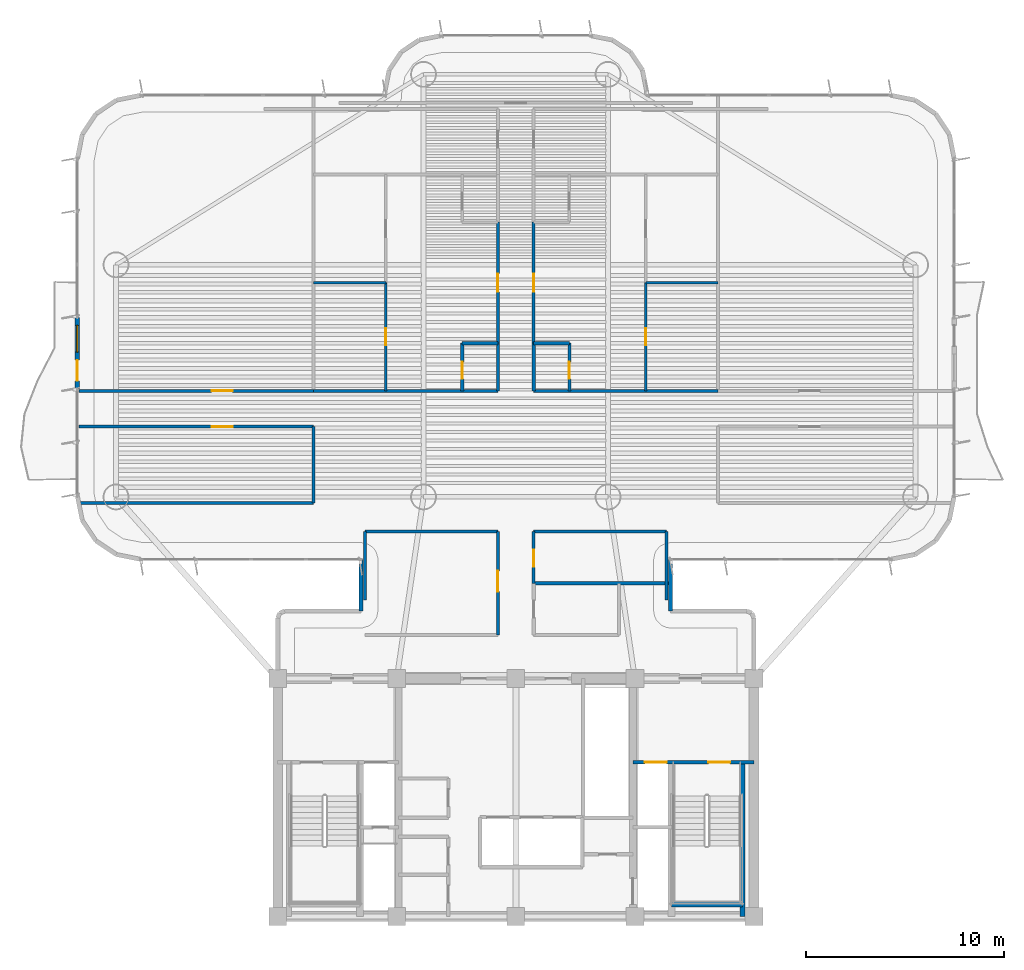
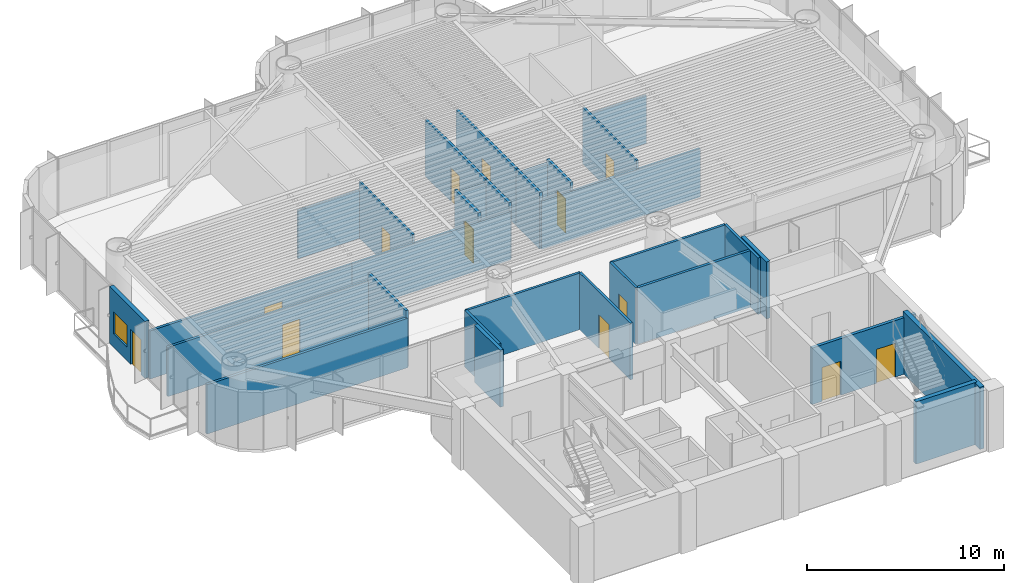
# One storey, part 10 of 16: 31 walls, 13 doors, 1 window, 14 openings.
"""IFC4 building model written with IfcOpenShell, lengths in metres."""

import ifcopenshell
import ifcopenshell.guid

model = None  # the IFC model being written
_history = None  # IfcOwnerHistory: only IFC2X3 demands one
_inside = {}  # id of a spatial element -> (the spatial element, [elements in it])
_under = {}  # id of a project, library or spatial element -> (it, [spatial elements below it])
_declared = {}  # id of a project -> (the project, [libraries it declares])
_typed = {}  # id of a type object -> (the type object, [elements of that type])
_made_of = {}  # id of a material, layer set ... -> (it, [elements and type objects made of it])


def new_model(schema):
    """Start an empty IFC model of exactly this schema.

    Asked for "IFC4X3", IfcOpenShell would pick the latest addendum, in which some entities
    have other attributes; the version numbers below select the first issue.
    IFC2X3 requires an IfcOwnerHistory on every rooted entity: one is made here for all.
    """
    global model, _history
    if schema == "IFC4X3":
        model = ifcopenshell.file(schema_version=(4, 3, 0, 0))
    else:
        model = ifcopenshell.file(schema=schema)
    _inside.clear()
    _under.clear()
    _declared.clear()
    _typed.clear()
    _made_of.clear()
    _history = None
    if model.schema == "IFC2X3":
        org = make("IfcOrganization", Name="unknown")
        user = make(
            "IfcPersonAndOrganization",
            ThePerson=make("IfcPerson", FamilyName="unknown"),
            TheOrganization=org,
        )
        app = make(
            "IfcApplication",
            ApplicationDeveloper=org,
            Version="unknown",
            ApplicationFullName="unknown",
            ApplicationIdentifier="unknown",
        )
        _history = make(
            "IfcOwnerHistory",
            OwningUser=user,
            OwningApplication=app,
            ChangeAction="ADDED",
            CreationDate=0,
        )
    return model


def make(cls, **values):
    """One entity of the class cls with the attributes given. An attribute that is None is left unset."""
    return model.create_entity(
        cls, **{name: value for name, value in values.items() if value is not None}
    )


def rooted(cls, **values):
    """An entity with a GlobalId (a new one), such as an element, a storey or a relation."""
    return make(cls, GlobalId=ifcopenshell.guid.new(), OwnerHistory=_history, **values)


def si_unit(unit_type, name, prefix=None):
    """IfcSIUnit, for example si_unit("LENGTHUNIT", "METRE", prefix="MILLI")."""
    return make("IfcSIUnit", UnitType=unit_type, Prefix=prefix, Name=name)


def assignment(units):
    """IfcUnitAssignment: the units of a project."""
    return None if units is None else make("IfcUnitAssignment", Units=units)


def point(xyz):
    """IfcCartesianPoint."""
    return None if xyz is None else make("IfcCartesianPoint", Coordinates=xyz)


def direction(xyz):
    """IfcDirection."""
    return None if xyz is None else make("IfcDirection", DirectionRatios=xyz)


def frame(location, z_axis=None, x_axis=None):
    """IfcAxis2Placement3D, a coordinate frame: its origin and axes. An axis left out is left unset."""
    return make(
        "IfcAxis2Placement3D",
        Location=point(location),
        Axis=direction(z_axis),
        RefDirection=direction(x_axis),
    )


def frame_2d(location, x_axis=None):
    """IfcAxis2Placement2D, a coordinate frame in the plane: its origin and x axis."""
    return make(
        "IfcAxis2Placement2D", Location=point(location), RefDirection=direction(x_axis)
    )


def origin():
    """The frame at (0, 0, 0) with its axes left unset."""
    return frame((0.0, 0.0, 0.0))


def origin_2d():
    """The frame at (0, 0) in the plane with its x axis left unset."""
    return frame_2d((0.0, 0.0))


def place(relative_to, where):
    """IfcLocalPlacement: puts the frame where relative to a parent placement (None: the world)."""
    return make(
        "IfcLocalPlacement", PlacementRelTo=relative_to, RelativePlacement=where
    )


def context(
    kind, dimensions, precision=None, world=None, true_north=None, identifier=None
):
    """IfcGeometricRepresentationContext, for example the 3D "Model" context."""
    return make(
        "IfcGeometricRepresentationContext",
        ContextIdentifier=identifier,
        ContextType=kind,
        CoordinateSpaceDimension=dimensions,
        Precision=precision,
        WorldCoordinateSystem=world,
        TrueNorth=true_north,
    )


def subcontext(parent, identifier, kind, view, scale=None):
    """IfcGeometricRepresentationSubContext, for example "Body" below "Model"."""
    return make(
        "IfcGeometricRepresentationSubContext",
        ContextIdentifier=identifier,
        ContextType=kind,
        ParentContext=parent,
        TargetScale=scale,
        TargetView=view,
    )


def project(units=None, contexts=None):
    """IfcProject with its units and contexts."""
    return rooted(
        "IfcProject",
        Name="project",
        RepresentationContexts=contexts,
        UnitsInContext=assignment(units),
    )


def spatial(cls, under=None, at=None, **own):
    """A site, building, storey or space (cls), placed at a placement, below another one or the project."""
    s = rooted(cls, ObjectPlacement=at, **own)
    if under is not None:
        _under.setdefault(under.id(), (under, []))[1].append(s)
    return s


def profile(cls, at=None, kind="AREA", **sizes):
    """A parametric profile (cls). Its sizes go by their IFC names, for example OverallWidth=200.0."""
    return make(cls, ProfileType=kind, Position=at, **sizes)


def rectangle(**sizes):
    """IfcRectangleProfileDef."""
    return profile("IfcRectangleProfileDef", **sizes)


def extrude(swept, where, along, depth):
    """IfcExtrudedAreaSolid: the profile swept, set in the frame where, extruded along a direction by depth."""
    return make(
        "IfcExtrudedAreaSolid",
        SweptArea=swept,
        Position=where,
        ExtrudedDirection=direction(along),
        Depth=depth,
    )


def shape(context_of_items, identifier, shape_type, items):
    """IfcShapeRepresentation: the items that make up one representation, for example the "Body"."""
    return make(
        "IfcShapeRepresentation",
        ContextOfItems=context_of_items,
        RepresentationIdentifier=identifier,
        RepresentationType=shape_type,
        Items=items,
    )


def source(mapping_origin, context_of_items, identifier, shape_type, items):
    """IfcRepresentationMap: a shape defined once, which mapped items show again and again."""
    return make(
        "IfcRepresentationMap",
        MappingOrigin=mapping_origin,
        MappedRepresentation=shape(context_of_items, identifier, shape_type, items),
    )


def transform(
    local_origin,
    x_axis=None,
    y_axis=None,
    z_axis=None,
    scale=None,
    scale2=None,
    scale3=None,
    uniform=True,
):
    """IfcCartesianTransformationOperator3D, or its non-uniform kind. x_axis, y_axis, z_axis: its Axis1, 2, 3."""
    if uniform:
        return make(
            "IfcCartesianTransformationOperator3D",
            Axis1=direction(x_axis),
            Axis2=direction(y_axis),
            LocalOrigin=point(local_origin),
            Scale=scale,
            Axis3=direction(z_axis),
        )
    return make(
        "IfcCartesianTransformationOperator3DnonUniform",
        Axis1=direction(x_axis),
        Axis2=direction(y_axis),
        LocalOrigin=point(local_origin),
        Scale=scale,
        Axis3=direction(z_axis),
        Scale2=scale2,
        Scale3=scale3,
    )


def mapped(mapping_source, mapping_target):
    """IfcMappedItem: shows the shape of a source again, moved by a transform."""
    return make(
        "IfcMappedItem", MappingSource=mapping_source, MappingTarget=mapping_target
    )


def material(Name=None, Category=None):
    """IfcMaterial."""
    return make("IfcMaterial", Name=Name, Category=Category)


def layer(
    of_material, thickness, ventilated=None, Name=None, Category=None, Priority=None
):
    """IfcMaterialLayer: one layer of a wall or slab, of a material (None: an air gap)."""
    return make(
        "IfcMaterialLayer",
        Material=of_material,
        LayerThickness=thickness,
        IsVentilated=ventilated,
        Name=Name,
        Category=Category,
        Priority=Priority,
    )


def layer_set(layers, Name=None):
    """IfcMaterialLayerSet."""
    return make("IfcMaterialLayerSet", MaterialLayers=layers, LayerSetName=Name)


def made_of(thing, what):
    """Note that an element or type object is made of a material, layer set ...; save() writes the relation."""
    if what is not None:
        _made_of.setdefault(what.id(), (what, []))[1].append(thing)
    return thing


def type_object(cls, material=None, **own):
    """A type object (cls), such as IfcWallType, which elements share."""
    return made_of(rooted(cls, **own), material)


def element(
    cls,
    number,
    at=None,
    inside=None,
    cuts=None,
    type_object=None,
    material=None,
    context=None,
    identifier="Body",
    shape_type=None,
    held_by="IfcProductDefinitionShape",
    body=None,
    shapes=None,
    **own,
):
    """One element of the class cls, such as IfcWall. Its Tag is "e" and its number.

    at: its placement. inside: the storey or other place that contains it. cuts: it is an
    opening in that element (IfcRelVoidsElement). A single representation is given by context,
    identifier, shape_type and body (its items); several are given by shapes. held_by: the class
    of the entity that holds the representations. save() writes the other relations.
    """
    e = rooted(cls, Tag="e%d" % number, ObjectPlacement=at, **own)
    if body is not None:
        shapes = [shape(context, identifier, shape_type, body)]
    if shapes is not None:
        e.Representation = make(held_by, Representations=shapes)
    if inside is not None:
        _inside.setdefault(inside.id(), (inside, []))[1].append(e)
    if cuts is not None:
        rooted(
            "IfcRelVoidsElement", RelatingBuildingElement=cuts, RelatedOpeningElement=e
        )
    if type_object is not None:
        _typed.setdefault(type_object.id(), (type_object, []))[1].append(e)
    return made_of(e, material)


def fill(opening, filler):
    """IfcRelFillsElement: the door or window that sits in an opening."""
    return rooted(
        "IfcRelFillsElement",
        RelatingOpeningElement=opening,
        RelatedBuildingElement=filler,
    )


def aggregate(whole, parts):
    """IfcRelAggregates: a whole, such as a stair, and the parts it consists of."""
    return rooted("IfcRelAggregates", RelatingObject=whole, RelatedObjects=parts)


def save(model, path):
    """Write the relations noted so far, then the file.

    IfcRelAggregates (storeys below a building ...), IfcRelContainedInSpatialStructure (elements
    in a storey), IfcRelDefinesByType, IfcRelAssociatesMaterial and IfcRelDeclares: one each for
    every whole, place, type object, material and project.
    """
    for whole, parts in _under.values():
        aggregate(whole, parts)
    for where, things in _inside.values():
        rooted(
            "IfcRelContainedInSpatialStructure",
            RelatedElements=things,
            RelatingStructure=where,
        )
    for kind, things in _typed.values():
        rooted("IfcRelDefinesByType", RelatedObjects=things, RelatingType=kind)
    for what, things in _made_of.values():
        rooted("IfcRelAssociatesMaterial", RelatedObjects=things, RelatingMaterial=what)
    for by, libraries in _declared.values():
        rooted("IfcRelDeclares", RelatingContext=by, RelatedDefinitions=libraries)
    model.write(path)


model = new_model("IFC4")

# Units and contexts
model_context = context("Model", 3, precision=1e-05, world=origin(), true_north=direction((0.0, 1.0)))
body_context = subcontext(model_context, "Body", "Model", "MODEL_VIEW")
ifc_project = project(units=[si_unit("LENGTHUNIT", "METRE"), si_unit("AREAUNIT", "SQUARE_METRE"), si_unit("VOLUMEUNIT", "CUBIC_METRE"), si_unit("PLANEANGLEUNIT", "RADIAN"), si_unit("MASSUNIT", "GRAM", prefix="KILO")], contexts=[model_context])

# Site, building, storey
site_placement = place(None, origin())
site = spatial("IfcSite", under=ifc_project, at=site_placement, CompositionType="ELEMENT")
building_placement = place(site_placement, origin())
building = spatial("IfcBuilding", under=site, at=building_placement, Name="Brelvock Crest Care Tower", CompositionType="ELEMENT")
storey_placement = place(building_placement, frame((0.0, 0.0, 138.9599609375)))
storey = spatial("IfcBuildingStorey", under=building, at=storey_placement, Name="L35", CompositionType="ELEMENT", Elevation=138.9599609375)

# Walls
ifc_material_1 = material(Name="Concrete S80 (80 MPa)", Category="concrete")
ifc_layer_1 = layer(ifc_material_1, 0.25, Name="WL-CS6")
ifc_layer_set_1 = layer_set([ifc_layer_1], Name="Concrete S80 (80 MPa)")
wall_type_1 = type_object("IfcWallType", Name="WL-CS6", PredefinedType="SHEAR", material=ifc_layer_set_1)
wall_1_placement = place(storey_placement, frame((47.419921875, 6.0, 0.0), z_axis=(0.0, 0.0, 1.0), x_axis=(0.0, 1.0, 0.0)))
element("IfcWall", 1, at=wall_1_placement, inside=storey, type_object=wall_type_1, Name="L35 Core Stair ST-2 East Shear Wall", PredefinedType="SHEAR", context=body_context, shape_type="SweptSolid", body=[
    extrude(rectangle(XDim=7.780029296875, YDim=0.25, at=frame_2d((3.89013671875, 0.0))), origin(), (0.0, 0.0, 1.0), 3.85009765625),
])
wall_2_placement = place(storey_placement, frame((43.85009765625, 6.6201171875, 0.0), z_axis=(0.0, 0.0, 1.0), x_axis=(1.0, 0.0, 0.0)))
element("IfcWall", 2, at=wall_2_placement, inside=storey, type_object=wall_type_1, Name="L35 Core Stair ST-2 South Shear Wall", PredefinedType="SHEAR", context=body_context, shape_type="SweptSolid", body=[
    extrude(rectangle(XDim=3.56982421875, YDim=0.25, at=frame_2d((1.784912109375, 0.0))), origin(), (0.0, 0.0, 1.0), 3.85009765625),
])

# Wall, openings, door, window
ifc_material_2 = material(Name="Precast concrete N40 (40 MPa)", Category="concrete")
ifc_layer_2 = layer(ifc_material_2, 0.239990234375, Name="WL-EX1")
ifc_layer_set_2 = layer_set([ifc_layer_2], Name="Precast concrete N40 (40 MPa)")
wall_type_2 = type_object("IfcWallType", Name="WL-EX1", PredefinedType="SOLIDWALL", material=ifc_layer_set_2)
wall_3_placement = place(storey_placement, frame((13.89990234375, 32.60009765625, 0.0), z_axis=(0.0, 0.0, 1.0), x_axis=(0.0, 1.0, 0.0)))
wall_3 = element("IfcWall", 3, at=wall_3_placement, inside=storey, type_object=wall_type_2, Name="L35 Exterior Spandrel Wall WL-BAL-L35-W", PredefinedType="SOLIDWALL", context=body_context, shape_type="SweptSolid", body=[
    extrude(rectangle(XDim=3.599853515625, YDim=0.239990234375, at=frame_2d((1.7998046875, 0.0))), origin(), (0.0, 0.0, 1.0), 3.530029296875),
])
opening_1_placement = place(wall_3_placement, frame((0.39990234375, 0.0, 0.0)))
opening_1 = element("IfcOpeningElement", 4, at=opening_1_placement, cuts=wall_3, Name="Opening BD-1", PredefinedType="OPENING", context=body_context, shape_type="SweptSolid", body=[
    extrude(rectangle(XDim=1.050048828125, YDim=2.14990234375, at=origin_2d()), frame((0.52490234375, 0.1298828125, 1.074951171875), z_axis=(0.0, -1.0, 0.0), x_axis=(1.0, 0.0, 0.0)), (0.0, 0.0, 1.0), 0.260009765625),
])
opening_2_placement = place(wall_3_placement, frame((1.85009765625, 0.0, 0.85009765625)))
opening_2 = element("IfcOpeningElement", 5, at=opening_2_placement, cuts=wall_3, Name="Opening W-01", PredefinedType="OPENING", context=body_context, shape_type="SweptSolid", body=[
    extrude(rectangle(XDim=1.35009765625, YDim=1.35009765625, at=origin_2d()), frame((0.675048828125, 0.1298828125, 0.675048828125), z_axis=(0.0, -1.0, 0.0), x_axis=(1.0, 0.0, 0.0)), (0.0, 0.0, 1.0), 0.260009765625),
])
ifc_material_3 = material(Name="Dark Glass Double Glazed Low-E", Category="glass")
door_type_1 = type_object("IfcDoorType", Name="DR-BAL1", OperationType="NOTDEFINED", PredefinedType="DOOR", material=ifc_material_3)
shared_shape_1 = source(origin(), body_context, "Body", "SweptSolid", [
    extrude(rectangle(XDim=1.050048828125, YDim=2.14990234375, at=origin_2d()), frame((0.52490234375, 0.02490234375, 1.074951171875), z_axis=(0.0, -1.0, 0.0), x_axis=(1.0, 0.0, 0.0)), (0.0, 0.0, 1.0), 0.050048828125),
])
door_1_placement = place(opening_1_placement, origin())
door_1 = element("IfcDoor", 6, at=door_1_placement, inside=storey, type_object=door_type_1, Name="L35 W Wave Balcony Glazed Door", OperationType="SINGLE_SWING_LEFT", OverallHeight=2.14990234375, OverallWidth=1.050048828125, PredefinedType="DOOR", context=body_context, shape_type="MappedRepresentation", body=[
    mapped(shared_shape_1, transform((0.0, 0.0, 0.0), x_axis=(1.0, 0.0, 0.0), y_axis=(0.0, 1.0, 0.0), z_axis=(0.0, 0.0, 1.0), scale=1.0)),
])
fill(opening_1, door_1)
window_type = type_object("IfcWindowType", Name="WN-EX1", PartitioningType="SINGLE_PANEL", PredefinedType="WINDOW", material=ifc_material_3)
shared_shape_2 = source(origin(), body_context, "Body", "SweptSolid", [
    extrude(rectangle(XDim=1.35009765625, YDim=1.35009765625, at=origin_2d()), frame((0.675048828125, 0.030029296875, 0.675048828125), z_axis=(0.0, -1.0, 0.0), x_axis=(1.0, 0.0, 0.0)), (0.0, 0.0, 1.0), 0.06005859375),
])
window_placement = place(opening_2_placement, origin())
window = element("IfcWindow", 7, at=window_placement, inside=storey, type_object=window_type, Name="L35 W Suite Casement Window", OverallHeight=1.35009765625, OverallWidth=1.35009765625, PartitioningType="SINGLE_PANEL", PredefinedType="WINDOW", context=body_context, shape_type="MappedRepresentation", body=[
    mapped(shared_shape_2, transform((0.0, 0.0, 0.0), x_axis=(1.0, 0.0, 0.0), y_axis=(0.0, 1.0, 0.0), z_axis=(0.0, 0.0, 1.0), scale=1.0)),
])
fill(opening_2, window)

# Walls
ifc_layer_3 = layer(ifc_material_2, 0.215087890625, Name="WL-EX2")
ifc_layer_set_3 = layer_set([ifc_layer_3], Name="Precast concrete N40 (40 MPa)")
wall_type_3 = type_object("IfcWallType", Name="WL-EX2", PredefinedType="SOLIDWALL", material=ifc_layer_set_3)
for number, where, z_axis, x_axis, name in (
    (8, (28.199951171875, 21.39990234375, 0.0), (0.0, 0.0, 1.0), (0.0, 1.0, 0.0), "L35 Rounded Corner Wall 11"),
    (9, (43.800048828125, 24.0, 0.0), (0.0, 0.0, 1.0), (0.0, -1.0, 0.0), "L35 Rounded Corner Wall 45"),
):
    element("IfcWall", number, at=place(storey_placement, frame(where, z_axis=z_axis, x_axis=x_axis)), inside=storey, type_object=wall_type_3, Name=name, PredefinedType="SOLIDWALL", context=body_context, shape_type="SweptSolid", body=[
        extrude(rectangle(XDim=2.60009765625, YDim=0.215087890625, at=frame_2d((1.300048828125, 0.0))), origin(), (0.0, 0.0, 1.0), 3.530029296875),
    ])
ifc_material_4 = material(Name="Masonry Blockwork Acoustic Partition", Category="masonry")
ifc_layer_4 = layer(ifc_material_4, 0.14990234375, Name="WL-INT1")
ifc_layer_set_4 = layer_set([ifc_layer_4], Name="Masonry Blockwork Acoustic Partition")
wall_type_4 = type_object("IfcWallType", Name="WL-INT1", PredefinedType="PARTITIONING", material=ifc_layer_set_4)
for number, where, z_axis, x_axis, name in (
    (10, (28.39990234375, 25.39990234375, 0.0), (0.0, 0.0, 1.0), (1.0, 0.0, 0.0), "L35 Interior Wall WL-BX-L35-THW-N"),
    (11, (36.89990234375, 25.39990234375, 0.0), (0.0, 0.0, 1.0), (1.0, 0.0, 0.0), "L35 Interior Wall WL-BX-L35-THE2-N"),
):
    element("IfcWall", number, at=place(storey_placement, frame(where, z_axis=z_axis, x_axis=x_axis)), inside=storey, type_object=wall_type_4, Name=name, PredefinedType="PARTITIONING", context=body_context, shape_type="SweptSolid", body=[
        extrude(rectangle(XDim=6.7001953125, YDim=0.14990234375, at=frame_2d((3.35009765625, 0.0))), origin(), (0.0, 0.0, 1.0), 3.5),
    ])
wall_4_placement = place(storey_placement, frame((14.05126953125, 26.85009765625, 0.0), z_axis=(0.0, 0.0, 1.0), x_axis=(1.0, 0.0, 0.0)))
element("IfcWall", 12, at=wall_4_placement, inside=storey, type_object=wall_type_4, Name="L35 Interior Wall WL-BX-L35-ISWO-S", PredefinedType="PARTITIONING", context=body_context, shape_type="SweptSolid", body=[
    extrude(rectangle(XDim=11.748779296875, YDim=0.14990234375, at=frame_2d((5.87451171875, 0.0))), origin(), (0.0, 0.0, 1.0), 3.054931640625),
])

# Wall, opening, door
wall_5_placement = place(storey_placement, frame((13.97998046875, 30.699951171875, 0.0), z_axis=(0.0, 0.0, 1.0), x_axis=(1.0, 0.0, 0.0)))
wall_5 = element("IfcWall", 13, at=wall_5_placement, inside=storey, type_object=wall_type_4, Name="L35 Interior Wall WL-RM-L35-ISWO", PredefinedType="PARTITIONING", context=body_context, shape_type="SweptSolid", body=[
    extrude(rectangle(XDim=11.820068359375, YDim=0.14990234375, at=frame_2d((5.91015625, 0.0))), origin(), (0.0, 0.0, 1.0), 3.054931640625),
])
opening_3_placement = place(wall_5_placement, frame((6.695068359375, 0.0, 0.0)))
opening_3 = element("IfcOpeningElement", 14, at=opening_3_placement, cuts=wall_5, Name="Opening CLD-1", PredefinedType="OPENING", context=body_context, shape_type="SweptSolid", body=[
    extrude(rectangle(XDim=1.050048828125, YDim=2.10009765625, at=origin_2d()), frame((0.52490234375, 0.0849609375, 1.050048828125), z_axis=(0.0, -1.0, 0.0), x_axis=(1.0, 0.0, 0.0)), (0.0, 0.0, 1.0), 0.169921875),
])
ifc_material_5 = material(Name="Engineered Hardwood Timber", Category="wood")
door_type_2 = type_object("IfcDoorType", Name="DR-CLN1", OperationType="NOTDEFINED", PredefinedType="DOOR", material=ifc_material_5)
shared_shape_3 = source(origin(), body_context, "Body", "SweptSolid", [
    extrude(rectangle(XDim=1.050048828125, YDim=2.10009765625, at=origin_2d()), frame((0.52490234375, 0.02490234375, 1.050048828125), z_axis=(0.0, -1.0, 0.0), x_axis=(1.0, 0.0, 0.0)), (0.0, 0.0, 1.0), 0.050048828125),
])
door_2_placement = place(opening_3_placement, origin())
door_2 = element("IfcDoor", 15, at=door_2_placement, inside=storey, type_object=door_type_2, Name="L35 Resident Sun Conservatory Door ISWO", OperationType="SINGLE_SWING_LEFT", OverallHeight=2.10009765625, OverallWidth=1.050048828125, PredefinedType="DOOR", context=body_context, shape_type="MappedRepresentation", body=[
    mapped(shared_shape_3, transform((0.0, 0.0, 0.0), x_axis=(1.0, 0.0, 0.0), y_axis=(0.0, 1.0, 0.0), z_axis=(0.0, 0.0, 1.0), scale=1.0)),
])
fill(opening_3, door_2)

wall_6_placement = place(storey_placement, frame((13.97998046875, 32.5, 0.0), z_axis=(0.0, 0.0, 1.0), x_axis=(1.0, 0.0, 0.0)))
wall_6 = element("IfcWall", 16, at=wall_6_placement, inside=storey, type_object=wall_type_4, Name="L35 Interior Wall WL-RM-L35-INWO", PredefinedType="PARTITIONING", context=body_context, shape_type="SweptSolid", body=[
    extrude(rectangle(XDim=11.820068359375, YDim=0.14990234375, at=frame_2d((5.91015625, 0.0))), origin(), (0.0, 0.0, 1.0), 2.98193359375),
])
opening_4_placement = place(wall_6_placement, frame((6.695068359375, 0.0, 0.0)))
opening_4 = element("IfcOpeningElement", 17, at=opening_4_placement, cuts=wall_6, Name="Opening CLD-1", PredefinedType="OPENING", context=body_context, shape_type="SweptSolid", body=[
    extrude(rectangle(XDim=1.050048828125, YDim=2.10009765625, at=origin_2d()), frame((0.52490234375, 0.0849609375, 1.050048828125), z_axis=(0.0, -1.0, 0.0), x_axis=(1.0, 0.0, 0.0)), (0.0, 0.0, 1.0), 0.169921875),
])
door_3_placement = place(opening_4_placement, origin())
door_3 = element("IfcDoor", 18, at=door_3_placement, inside=storey, type_object=door_type_2, Name="L35 Resident Sun Conservatory Door INWO", OperationType="SINGLE_SWING_LEFT", OverallHeight=2.10009765625, OverallWidth=1.050048828125, PredefinedType="DOOR", context=body_context, shape_type="MappedRepresentation", body=[
    mapped(shared_shape_3, transform((0.0, 0.0, 0.0), x_axis=(1.0, 0.0, 0.0), y_axis=(0.0, 1.0, 0.0), z_axis=(0.0, 0.0, 1.0), scale=1.0)),
])
fill(opening_4, door_3)

# Walls
for number, where, z_axis, x_axis, name in (
    (19, (25.800048828125, 32.5, 0.0), (0.0, 0.0, 1.0), (1.0, 0.0, 0.0), "L35 Interior Wall WL-BX-L35-FL-INWI-S"),
    (20, (36.89990234375, 32.5, 0.0), (0.0, 0.0, 1.0), (1.0, 0.0, 0.0), "L35 Interior Wall WL-BX-L35-FL-INEI-S"),
):
    element("IfcWall", number, at=place(storey_placement, frame(where, z_axis=z_axis, x_axis=x_axis)), inside=storey, type_object=wall_type_4, Name=name, PredefinedType="PARTITIONING", context=body_context, shape_type="SweptSolid", body=[
        extrude(rectangle(XDim=9.300048828125, YDim=0.14990234375, at=frame_2d((4.64990234375, 0.0))), origin(), (0.0, 0.0, 1.0), 2.98193359375),
    ])
wall_7_placement = place(storey_placement, frame((25.800048828125, 26.85009765625, 0.0), z_axis=(0.0, 0.0, 1.0), x_axis=(0.0, 1.0, 0.0)))
element("IfcWall", 21, at=wall_7_placement, inside=storey, type_object=wall_type_4, Name="L35 Interior Wall WL-BX-L35-ISWO-E", PredefinedType="PARTITIONING", context=body_context, shape_type="SweptSolid", body=[
    extrude(rectangle(XDim=3.849853515625, YDim=0.14990234375, at=frame_2d((1.9248046875, 0.0))), origin(), (0.0, 0.0, 1.0), 3.5),
])
wall_8_placement = place(storey_placement, frame((28.39990234375, 21.957275390625, 0.0), z_axis=(0.0, 0.0, 1.0), x_axis=(0.0, 1.0, 0.0)))
element("IfcWall", 22, at=wall_8_placement, inside=storey, type_object=wall_type_4, Name="L35 Interior Wall WL-BX-L35-THW-W2", PredefinedType="PARTITIONING", context=body_context, shape_type="SweptSolid", body=[
    extrude(rectangle(XDim=3.442626953125, YDim=0.14990234375, at=frame_2d((1.72119140625, 0.0))), origin(), (0.0, 0.0, 1.0), 3.5),
])

# Wall, opening, door
wall_9_placement = place(storey_placement, frame((35.10009765625, 20.199951171875, 0.0), z_axis=(0.0, 0.0, 1.0), x_axis=(0.0, 1.0, 0.0)))
wall_9 = element("IfcWall", 23, at=wall_9_placement, inside=storey, type_object=wall_type_4, Name="L35 Interior Wall WL-RM-L35-THW", PredefinedType="PARTITIONING", context=body_context, shape_type="SweptSolid", body=[
    extrude(rectangle(XDim=5.199951171875, YDim=0.14990234375, at=frame_2d((2.60009765625, 0.0))), origin(), (0.0, 0.0, 1.0), 3.5),
])
opening_5_placement = place(wall_9_placement, frame((2.175048828125, 0.0, 0.0)))
opening_5 = element("IfcOpeningElement", 24, at=opening_5_placement, cuts=wall_9, Name="Opening CLD-1", PredefinedType="OPENING", context=body_context, shape_type="SweptSolid", body=[
    extrude(rectangle(XDim=1.050048828125, YDim=2.10009765625, at=origin_2d()), frame((0.52490234375, 0.0849609375, 1.050048828125), z_axis=(0.0, -1.0, 0.0), x_axis=(1.0, 0.0, 0.0)), (0.0, 0.0, 1.0), 0.169921875),
])
door_4_placement = place(opening_5_placement, origin())
door_4 = element("IfcDoor", 25, at=door_4_placement, inside=storey, type_object=door_type_2, Name="L35 Allied Health Consultation Room Door THW", OperationType="SINGLE_SWING_LEFT", OverallHeight=2.10009765625, OverallWidth=1.050048828125, PredefinedType="DOOR", context=body_context, shape_type="MappedRepresentation", body=[
    mapped(shared_shape_3, transform((0.0, 0.0, 0.0), x_axis=(1.0, 0.0, 0.0), y_axis=(0.0, 1.0, 0.0), z_axis=(0.0, 0.0, 1.0), scale=1.0)),
])
fill(opening_5, door_4)

wall_10_placement = place(storey_placement, frame((35.10009765625, 34.89990234375, 0.0), z_axis=(0.0, 0.0, 1.0), x_axis=(0.0, 1.0, 0.0)))
wall_10 = element("IfcWall", 26, at=wall_10_placement, inside=storey, type_object=wall_type_4, Name="L35 Interior Wall WL-UENT-L35-INWI", PredefinedType="PARTITIONING", context=body_context, shape_type="SweptSolid", body=[
    extrude(rectangle(XDim=6.10009765625, YDim=0.14990234375, at=frame_2d((3.050048828125, 0.0))), origin(), (0.0, 0.0, 1.0), 3.5),
])
opening_6_placement = place(wall_10_placement, frame((2.590087890625, 0.0, 0.0)))
opening_6 = element("IfcOpeningElement", 27, at=opening_6_placement, cuts=wall_10, Name="Opening AD-1", PredefinedType="OPENING", context=body_context, shape_type="SweptSolid", body=[
    extrude(rectangle(XDim=0.919921875, YDim=2.10009765625, at=origin_2d()), frame((0.4599609375, 0.0849609375, 1.050048828125), z_axis=(0.0, -1.0, 0.0), x_axis=(1.0, 0.0, 0.0)), (0.0, 0.0, 1.0), 0.169921875),
])
door_type_3 = type_object("IfcDoorType", Name="DR-APT1", OperationType="NOTDEFINED", PredefinedType="DOOR", material=ifc_material_5)
shared_shape_4 = source(origin(), body_context, "Body", "SweptSolid", [
    extrude(rectangle(XDim=0.919921875, YDim=2.10009765625, at=origin_2d()), frame((0.4599609375, 0.02490234375, 1.050048828125), z_axis=(0.0, -1.0, 0.0), x_axis=(1.0, 0.0, 0.0)), (0.0, 0.0, 1.0), 0.050048828125),
])
door_5_placement = place(opening_6_placement, origin())
door_5 = element("IfcDoor", 28, at=door_5_placement, inside=storey, type_object=door_type_3, Name="L35 Apartment Entrance INWI", OperationType="SINGLE_SWING_LEFT", OverallHeight=2.10009765625, OverallWidth=0.919921875, PredefinedType="DOOR", context=body_context, shape_type="MappedRepresentation", body=[
    mapped(shared_shape_4, transform((0.0, 0.0, 0.0), x_axis=(1.0, 0.0, 0.0), y_axis=(0.0, 1.0, 0.0), z_axis=(0.0, 0.0, 1.0), scale=1.0)),
])
fill(opening_6, door_5)

wall_11_placement = place(storey_placement, frame((36.89990234375, 22.800048828125, 0.0), z_axis=(0.0, 0.0, 1.0), x_axis=(0.0, 1.0, 0.0)))
wall_11 = element("IfcWall", 29, at=wall_11_placement, inside=storey, type_object=wall_type_4, Name="L35 Interior Wall WL-RM-L35-THE2", PredefinedType="PARTITIONING", context=body_context, shape_type="SweptSolid", body=[
    extrude(rectangle(XDim=2.599853515625, YDim=0.14990234375, at=frame_2d((1.2998046875, 0.0))), origin(), (0.0, 0.0, 1.0), 3.5),
])
opening_7_placement = place(wall_11_placement, frame((0.840087890625, 0.0, 0.0)))
opening_7 = element("IfcOpeningElement", 30, at=opening_7_placement, cuts=wall_11, Name="Opening ID-1", PredefinedType="OPENING", context=body_context, shape_type="SweptSolid", body=[
    extrude(rectangle(XDim=0.860107421875, YDim=2.10009765625, at=origin_2d()), frame((0.43017578125, 0.0849609375, 1.050048828125), z_axis=(0.0, -1.0, 0.0), x_axis=(1.0, 0.0, 0.0)), (0.0, 0.0, 1.0), 0.169921875),
])
door_type_4 = type_object("IfcDoorType", Name="DR-INT1", OperationType="NOTDEFINED", PredefinedType="DOOR", material=ifc_material_5)
shared_shape_5 = source(origin(), body_context, "Body", "SweptSolid", [
    extrude(rectangle(XDim=0.860107421875, YDim=2.10009765625, at=origin_2d()), frame((0.43017578125, 0.02490234375, 1.050048828125), z_axis=(0.0, -1.0, 0.0), x_axis=(1.0, 0.0, 0.0)), (0.0, 0.0, 1.0), 0.050048828125),
])
door_6_placement = place(opening_7_placement, origin())
door_6 = element("IfcDoor", 31, at=door_6_placement, inside=storey, type_object=door_type_4, Name="L35 Care Coordinator Office Door THE2", OperationType="SINGLE_SWING_LEFT", OverallHeight=2.10009765625, OverallWidth=0.860107421875, PredefinedType="DOOR", context=body_context, shape_type="MappedRepresentation", body=[
    mapped(shared_shape_5, transform((0.0, 0.0, 0.0), x_axis=(1.0, 0.0, 0.0), y_axis=(0.0, 1.0, 0.0), z_axis=(0.0, 0.0, 1.0), scale=1.0)),
])
fill(opening_7, door_6)

wall_12_placement = place(storey_placement, frame((36.89990234375, 34.89990234375, 0.0), z_axis=(0.0, 0.0, 1.0), x_axis=(0.0, 1.0, 0.0)))
wall_12 = element("IfcWall", 32, at=wall_12_placement, inside=storey, type_object=wall_type_4, Name="L35 Interior Wall WL-UENT-L35-INEI", PredefinedType="PARTITIONING", context=body_context, shape_type="SweptSolid", body=[
    extrude(rectangle(XDim=6.10009765625, YDim=0.14990234375, at=frame_2d((3.050048828125, 0.0))), origin(), (0.0, 0.0, 1.0), 3.5),
])
opening_8_placement = place(wall_12_placement, frame((2.590087890625, 0.0, 0.0)))
opening_8 = element("IfcOpeningElement", 33, at=opening_8_placement, cuts=wall_12, Name="Opening AD-1", PredefinedType="OPENING", context=body_context, shape_type="SweptSolid", body=[
    extrude(rectangle(XDim=0.919921875, YDim=2.10009765625, at=origin_2d()), frame((0.4599609375, 0.0849609375, 1.050048828125), z_axis=(0.0, -1.0, 0.0), x_axis=(1.0, 0.0, 0.0)), (0.0, 0.0, 1.0), 0.169921875),
])
door_7_placement = place(opening_8_placement, origin())
door_7 = element("IfcDoor", 34, at=door_7_placement, inside=storey, type_object=door_type_3, Name="L35 Apartment Entrance INEI", OperationType="SINGLE_SWING_LEFT", OverallHeight=2.10009765625, OverallWidth=0.919921875, PredefinedType="DOOR", context=body_context, shape_type="MappedRepresentation", body=[
    mapped(shared_shape_4, transform((0.0, 0.0, 0.0), x_axis=(1.0, 0.0, 0.0), y_axis=(0.0, 1.0, 0.0), z_axis=(0.0, 0.0, 1.0), scale=1.0)),
])
fill(opening_8, door_7)

# Walls
wall_13_placement = place(storey_placement, frame((43.60009765625, 21.95751953125, 0.0), z_axis=(0.0, 0.0, 1.0), x_axis=(0.0, 1.0, 0.0)))
element("IfcWall", 35, at=wall_13_placement, inside=storey, type_object=wall_type_4, Name="L35 Interior Wall WL-BX-L35-THE2-E", PredefinedType="PARTITIONING", context=body_context, shape_type="SweptSolid", body=[
    extrude(rectangle(XDim=3.4423828125, YDim=0.14990234375, at=frame_2d((1.72119140625, 0.0))), origin(), (0.0, 0.0, 1.0), 3.5),
])
ifc_material_6 = material(Name="Gypsum Plasterboard Partition", Category="gypsum")
ifc_layer_5 = layer(ifc_material_6, 0.1201171875, Name="WL-INT2")
ifc_layer_set_5 = layer_set([ifc_layer_5], Name="Gypsum Plasterboard Partition")
wall_type_5 = type_object("IfcWallType", Name="WL-INT2", PredefinedType="PARTITIONING", material=ifc_layer_set_5)
for number, where, z_axis, x_axis, name in (
    (36, (25.800048828125, 37.949951171875, 0.0), (0.0, 0.0, 1.0), (1.0, 0.0, 0.0), "L35 Interior Wall WL-UBSP-L35-INWI"),
    (37, (42.550048828125, 37.949951171875, 0.0), (0.0, 0.0, 1.0), (1.0, 0.0, 0.0), "L35 Interior Wall WL-UBSP-L35-INEI"),
):
    element("IfcWall", number, at=place(storey_placement, frame(where, z_axis=z_axis, x_axis=x_axis)), inside=storey, type_object=wall_type_5, Name=name, PredefinedType="PARTITIONING", context=body_context, shape_type="SweptSolid", body=[
        extrude(rectangle(XDim=3.64990234375, YDim=0.1201171875, at=frame_2d((1.824951171875, 0.0))), origin(), (0.0, 0.0, 1.0), 2.98193359375),
    ])

# Wall, opening, door
wall_14_placement = place(storey_placement, frame((29.449951171875, 32.5, 0.0), z_axis=(0.0, 0.0, 1.0), x_axis=(0.0, 1.0, 0.0)))
wall_14 = element("IfcWall", 38, at=wall_14_placement, inside=storey, type_object=wall_type_5, Name="L35 Interior Wall WL-UBD1-L35-INWI", PredefinedType="PARTITIONING", context=body_context, shape_type="SweptSolid", body=[
    extrude(rectangle(XDim=5.449951171875, YDim=0.1201171875, at=frame_2d((2.72509765625, 0.0))), origin(), (0.0, 0.0, 1.0), 3.5),
])
opening_9_placement = place(wall_14_placement, frame((2.294921875, 0.0, 0.0)))
opening_9 = element("IfcOpeningElement", 39, at=opening_9_placement, cuts=wall_14, Name="Opening ID-1", PredefinedType="OPENING", context=body_context, shape_type="SweptSolid", body=[
    extrude(rectangle(XDim=0.860107421875, YDim=2.10009765625, at=origin_2d()), frame((0.43017578125, 0.070068359375, 1.050048828125), z_axis=(0.0, -1.0, 0.0), x_axis=(1.0, 0.0, 0.0)), (0.0, 0.0, 1.0), 0.14013671875),
])
door_8_placement = place(opening_9_placement, origin())
door_8 = element("IfcDoor", 40, at=door_8_placement, inside=storey, type_object=door_type_4, Name="L35 Primary Bedroom Door INWI", OperationType="SINGLE_SWING_RIGHT", OverallHeight=2.10009765625, OverallWidth=0.860107421875, PredefinedType="DOOR", context=body_context, shape_type="MappedRepresentation", body=[
    mapped(shared_shape_5, transform((0.0, 0.0, 0.0), x_axis=(1.0, 0.0, 0.0), y_axis=(0.0, 1.0, 0.0), z_axis=(0.0, 0.0, 1.0), scale=1.0)),
])
fill(opening_9, door_8)

wall_15_placement = place(storey_placement, frame((42.550048828125, 32.5, 0.0), z_axis=(0.0, 0.0, 1.0), x_axis=(0.0, 1.0, 0.0)))
wall_15 = element("IfcWall", 41, at=wall_15_placement, inside=storey, type_object=wall_type_5, Name="L35 Interior Wall WL-UBD1-L35-INEI", PredefinedType="PARTITIONING", context=body_context, shape_type="SweptSolid", body=[
    extrude(rectangle(XDim=5.449951171875, YDim=0.1201171875, at=frame_2d((2.72509765625, 0.0))), origin(), (0.0, 0.0, 1.0), 3.5),
])
opening_10_placement = place(wall_15_placement, frame((2.294921875, 0.0, 0.0)))
opening_10 = element("IfcOpeningElement", 42, at=opening_10_placement, cuts=wall_15, Name="Opening ID-1", PredefinedType="OPENING", context=body_context, shape_type="SweptSolid", body=[
    extrude(rectangle(XDim=0.860107421875, YDim=2.10009765625, at=origin_2d()), frame((0.43017578125, 0.070068359375, 1.050048828125), z_axis=(0.0, -1.0, 0.0), x_axis=(1.0, 0.0, 0.0)), (0.0, 0.0, 1.0), 0.14013671875),
])
door_9_placement = place(opening_10_placement, origin())
door_9 = element("IfcDoor", 43, at=door_9_placement, inside=storey, type_object=door_type_4, Name="L35 Primary Bedroom Door INEI", OperationType="SINGLE_SWING_RIGHT", OverallHeight=2.10009765625, OverallWidth=0.860107421875, PredefinedType="DOOR", context=body_context, shape_type="MappedRepresentation", body=[
    mapped(shared_shape_5, transform((0.0, 0.0, 0.0), x_axis=(1.0, 0.0, 0.0), y_axis=(0.0, 1.0, 0.0), z_axis=(0.0, 0.0, 1.0), scale=1.0)),
])
fill(opening_10, door_9)

# Walls
ifc_layer_6 = layer(ifc_material_6, 0.159912109375, Name="WL-PLM1")
ifc_layer_set_6 = layer_set([ifc_layer_6], Name="Gypsum Plasterboard Partition")
wall_type_6 = type_object("IfcWallType", Name="WL-PLM1", PredefinedType="PLUMBINGWALL", material=ifc_layer_set_6)
wall_16_placement = place(storey_placement, frame((36.89990234375, 22.800048828125, 0.0), z_axis=(0.0, 0.0, 1.0), x_axis=(1.0, 0.0, 0.0)))
element("IfcWall", 44, at=wall_16_placement, inside=storey, type_object=wall_type_6, Name="L35 Interior Wall WL-BX-L35-THE2-S", PredefinedType="PLUMBINGWALL", context=body_context, shape_type="SweptSolid", body=[
    extrude(rectangle(XDim=6.820068359375, YDim=0.159912109375, at=frame_2d((3.41015625, 0.0))), origin(), (0.0, 0.0, 1.0), 3.5),
])
for number, where, z_axis, x_axis, name in (
    (45, (33.300048828125, 34.89990234375, 0.0), (0.0, 0.0, 1.0), (1.0, 0.0, 0.0), "L35 Interior Wall WL-UBTH2-L35-INWI"),
    (46, (36.89990234375, 34.89990234375, 0.0), (0.0, 0.0, 1.0), (1.0, 0.0, 0.0), "L35 Interior Wall WL-UBTH2-L35-INEI"),
):
    element("IfcWall", number, at=place(storey_placement, frame(where, z_axis=z_axis, x_axis=x_axis)), inside=storey, type_object=wall_type_6, Name=name, PredefinedType="PLUMBINGWALL", context=body_context, shape_type="SweptSolid", body=[
        extrude(rectangle(XDim=1.800048828125, YDim=0.159912109375, at=frame_2d((0.89990234375, 0.0))), origin(), (0.0, 0.0, 1.0), 3.259033203125),
    ])

# Wall, opening, door
wall_17_placement = place(storey_placement, frame((33.300048828125, 32.5, 0.0), z_axis=(0.0, 0.0, 1.0), x_axis=(0.0, 1.0, 0.0)))
wall_17 = element("IfcWall", 47, at=wall_17_placement, inside=storey, type_object=wall_type_6, Name="L35 Interior Wall WL-UBTH1-L35-INWI", PredefinedType="PLUMBINGWALL", context=body_context, shape_type="SweptSolid", body=[
    extrude(rectangle(XDim=2.39990234375, YDim=0.159912109375, at=frame_2d((1.199951171875, 0.0))), origin(), (0.0, 0.0, 1.0), 3.5),
])
opening_11_placement = place(wall_17_placement, frame((0.60009765625, 0.0, 0.0)))
opening_11 = element("IfcOpeningElement", 48, at=opening_11_placement, cuts=wall_17, Name="Opening WD-1", PredefinedType="OPENING", context=body_context, shape_type="SweptSolid", body=[
    extrude(rectangle(XDim=0.860107421875, YDim=2.10009765625, at=origin_2d()), frame((0.43017578125, 0.08984375, 1.050048828125), z_axis=(0.0, -1.0, 0.0), x_axis=(1.0, 0.0, 0.0)), (0.0, 0.0, 1.0), 0.179931640625),
])
door_type_5 = type_object("IfcDoorType", Name="DR-WC1", OperationType="NOTDEFINED", PredefinedType="DOOR", material=ifc_material_5)
shared_shape_6 = source(origin(), body_context, "Body", "SweptSolid", [
    extrude(rectangle(XDim=0.860107421875, YDim=2.10009765625, at=origin_2d()), frame((0.43017578125, 0.02490234375, 1.050048828125), z_axis=(0.0, -1.0, 0.0), x_axis=(1.0, 0.0, 0.0)), (0.0, 0.0, 1.0), 0.050048828125),
])
door_10_placement = place(opening_11_placement, origin())
door_10 = element("IfcDoor", 49, at=door_10_placement, inside=storey, type_object=door_type_5, Name="L35 Bathroom Door INWI", OperationType="SINGLE_SWING_LEFT", OverallHeight=2.10009765625, OverallWidth=0.860107421875, PredefinedType="DOOR", context=body_context, shape_type="MappedRepresentation", body=[
    mapped(shared_shape_6, transform((0.0, 0.0, 0.0), x_axis=(1.0, 0.0, 0.0), y_axis=(0.0, 1.0, 0.0), z_axis=(0.0, 0.0, 1.0), scale=1.0)),
])
fill(opening_11, door_10)

# Walls
for number, where, z_axis, x_axis, name in (
    (50, (35.10009765625, 32.5, 0.0), (0.0, 0.0, 1.0), (0.0, 1.0, 0.0), "L35 Interior Wall WL-UCB-L35-INWI"),
    (51, (36.89990234375, 32.5, 0.0), (0.0, 0.0, 1.0), (0.0, 1.0, 0.0), "L35 Interior Wall WL-UCB-L35-INEI"),
):
    element("IfcWall", number, at=place(storey_placement, frame(where, z_axis=z_axis, x_axis=x_axis)), inside=storey, type_object=wall_type_6, Name=name, PredefinedType="PLUMBINGWALL", context=body_context, shape_type="SweptSolid", body=[
        extrude(rectangle(XDim=2.39990234375, YDim=0.159912109375, at=frame_2d((1.199951171875, 0.0))), origin(), (0.0, 0.0, 1.0), 3.5),
    ])

# Wall, opening, door
wall_18_placement = place(storey_placement, frame((38.699951171875, 32.5, 0.0), z_axis=(0.0, 0.0, 1.0), x_axis=(0.0, 1.0, 0.0)))
wall_18 = element("IfcWall", 52, at=wall_18_placement, inside=storey, type_object=wall_type_6, Name="L35 Interior Wall WL-UBTH1-L35-INEI", PredefinedType="PLUMBINGWALL", context=body_context, shape_type="SweptSolid", body=[
    extrude(rectangle(XDim=2.39990234375, YDim=0.159912109375, at=frame_2d((1.199951171875, 0.0))), origin(), (0.0, 0.0, 1.0), 3.5),
])
opening_12_placement = place(wall_18_placement, frame((0.60009765625, 0.0, 0.0)))
opening_12 = element("IfcOpeningElement", 53, at=opening_12_placement, cuts=wall_18, Name="Opening WD-1", PredefinedType="OPENING", context=body_context, shape_type="SweptSolid", body=[
    extrude(rectangle(XDim=0.860107421875, YDim=2.10009765625, at=origin_2d()), frame((0.43017578125, 0.08984375, 1.050048828125), z_axis=(0.0, -1.0, 0.0), x_axis=(1.0, 0.0, 0.0)), (0.0, 0.0, 1.0), 0.179931640625),
])
door_11_placement = place(opening_12_placement, origin())
door_11 = element("IfcDoor", 54, at=door_11_placement, inside=storey, type_object=door_type_5, Name="L35 Bathroom Door INEI", OperationType="SINGLE_SWING_LEFT", OverallHeight=2.10009765625, OverallWidth=0.860107421875, PredefinedType="DOOR", context=body_context, shape_type="MappedRepresentation", body=[
    mapped(shared_shape_6, transform((0.0, 0.0, 0.0), x_axis=(1.0, 0.0, 0.0), y_axis=(0.0, 1.0, 0.0), z_axis=(0.0, 0.0, 1.0), scale=1.0)),
])
fill(opening_12, door_11)

# Wall, openings, doors
ifc_layer_7 = layer(ifc_material_4, 0.179931640625, Name="WL-SHF1")
ifc_layer_set_7 = layer_set([ifc_layer_7], Name="Masonry Blockwork Acoustic Partition")
wall_type_7 = type_object("IfcWallType", Name="WL-SHF1", PredefinedType="PARTITIONING", material=ifc_layer_set_7)
wall_19_placement = place(storey_placement, frame((41.89990234375, 13.780029296875, 0.0), z_axis=(0.0, 0.0, 1.0), x_axis=(1.0, 0.0, 0.0)))
wall_19 = element("IfcWall", 55, at=wall_19_placement, inside=storey, type_object=wall_type_7, Name="L35 Interior Wall WL-ST2-N-L35", PredefinedType="PARTITIONING", context=body_context, shape_type="SweptSolid", body=[
    extrude(rectangle(XDim=6.10009765625, YDim=0.179931640625, at=frame_2d((3.050048828125, 0.0))), origin(), (0.0, 0.0, 1.0), 3.5),
])
opening_13_placement = place(wall_19_placement, frame((0.60009765625, 0.0, 0.0)))
opening_13 = element("IfcOpeningElement", 56, at=opening_13_placement, cuts=wall_19, Name="Opening LD", PredefinedType="OPENING", context=body_context, shape_type="SweptSolid", body=[
    extrude(rectangle(XDim=1.10009765625, YDim=2.10009765625, at=origin_2d()), frame((0.550048828125, 0.10009765625, 1.050048828125), z_axis=(0.0, -1.0, 0.0), x_axis=(1.0, 0.0, 0.0)), (0.0, 0.0, 1.0), 0.199951171875),
])
opening_14_placement = place(wall_19_placement, frame((3.800048828125, 0.0, 0.0)))
opening_14 = element("IfcOpeningElement", 57, at=opening_14_placement, cuts=wall_19, Name="Opening SD-1", PredefinedType="OPENING", context=body_context, shape_type="SweptSolid", body=[
    extrude(rectangle(XDim=1.10009765625, YDim=2.10009765625, at=origin_2d()), frame((0.550048828125, 0.10009765625, 1.050048828125), z_axis=(0.0, -1.0, 0.0), x_axis=(1.0, 0.0, 0.0)), (0.0, 0.0, 1.0), 0.199951171875),
])
ifc_material_7 = material(Name="Steel Grade 350", Category="steel")
door_type_6 = type_object("IfcDoorType", Name="DR-ST1", OperationType="NOTDEFINED", PredefinedType="DOOR", material=ifc_material_7)
shared_shape_7 = source(origin(), body_context, "Body", "SweptSolid", [
    extrude(rectangle(XDim=1.10009765625, YDim=2.10009765625, at=origin_2d()), frame((0.550048828125, 0.02490234375, 1.050048828125), z_axis=(0.0, -1.0, 0.0), x_axis=(1.0, 0.0, 0.0)), (0.0, 0.0, 1.0), 0.050048828125),
])
door_12_placement = place(opening_14_placement, origin())
door_12 = element("IfcDoor", 58, at=door_12_placement, inside=storey, type_object=door_type_6, Name="L35 Fire Stair ST-2 Door", OperationType="SINGLE_SWING_RIGHT", OverallHeight=2.10009765625, OverallWidth=1.10009765625, PredefinedType="DOOR", context=body_context, shape_type="MappedRepresentation", body=[
    mapped(shared_shape_7, transform((0.0, 0.0, 0.0), x_axis=(1.0, 0.0, 0.0), y_axis=(0.0, 1.0, 0.0), z_axis=(0.0, 0.0, 1.0), scale=1.0)),
])
fill(opening_14, door_12)
door_type_7 = type_object("IfcDoorType", Name="DR-LD1", OperationType="NOTDEFINED", PredefinedType="DOOR", material=ifc_material_7)
shared_shape_8 = source(origin(), body_context, "Body", "SweptSolid", [
    extrude(rectangle(XDim=1.10009765625, YDim=2.10009765625, at=origin_2d()), frame((0.550048828125, 0.02490234375, 1.050048828125), z_axis=(0.0, -1.0, 0.0), x_axis=(1.0, 0.0, 0.0)), (0.0, 0.0, 1.0), 0.050048828125),
])
door_13_placement = place(opening_13_placement, origin())
door_13 = element("IfcDoor", 59, at=door_13_placement, inside=storey, type_object=door_type_7, Name="L35 Firefighting Lift FFL-2 Landing Door", OperationType="SLIDING_TO_RIGHT", OverallHeight=2.10009765625, OverallWidth=1.10009765625, PredefinedType="DOOR", context=body_context, shape_type="MappedRepresentation", body=[
    mapped(shared_shape_8, transform((0.0, 0.0, 0.0), x_axis=(1.0, 0.0, 0.0), y_axis=(0.0, 1.0, 0.0), z_axis=(0.0, 0.0, 1.0), scale=1.0)),
])
fill(opening_13, door_13)

save(model, "model.ifc")
